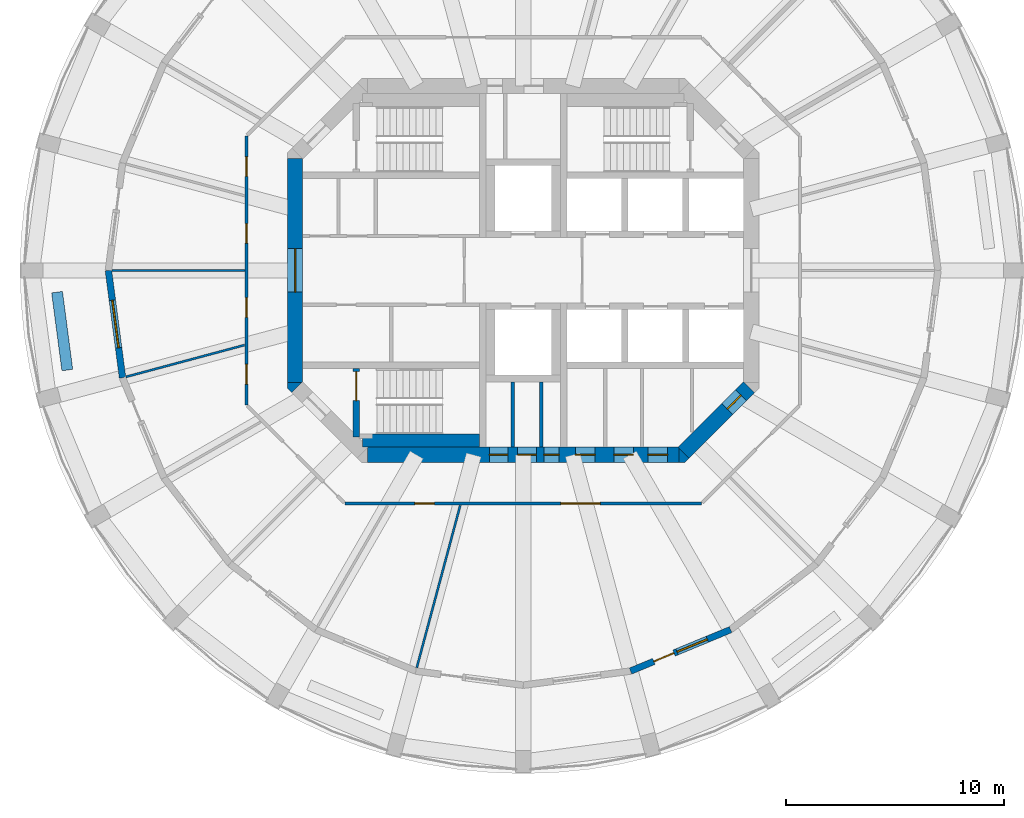
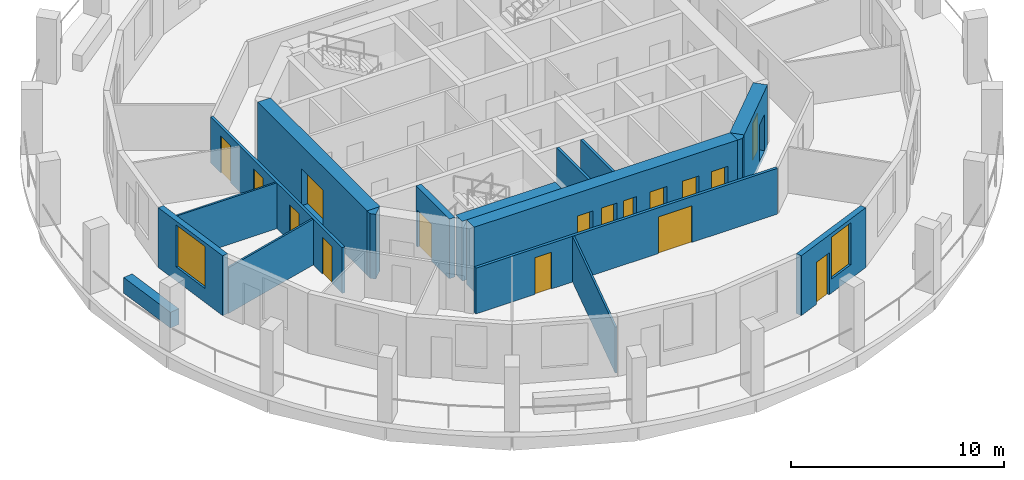
# One storey, part 3 of 9: 17 walls, 16 doors, 2 windows, 18 openings.
"""IFC4 building model written with IfcOpenShell, lengths in metres."""

import ifcopenshell
import ifcopenshell.guid

model = None  # the IFC model being written
_history = None  # IfcOwnerHistory: only IFC2X3 demands one
_inside = {}  # id of a spatial element -> (the spatial element, [elements in it])
_under = {}  # id of a project, library or spatial element -> (it, [spatial elements below it])
_declared = {}  # id of a project -> (the project, [libraries it declares])
_typed = {}  # id of a type object -> (the type object, [elements of that type])
_made_of = {}  # id of a material, layer set ... -> (it, [elements and type objects made of it])


def new_model(schema):
    """Start an empty IFC model of exactly this schema.

    Asked for "IFC4X3", IfcOpenShell would pick the latest addendum, in which some entities
    have other attributes; the version numbers below select the first issue.
    IFC2X3 requires an IfcOwnerHistory on every rooted entity: one is made here for all.
    """
    global model, _history
    if schema == "IFC4X3":
        model = ifcopenshell.file(schema_version=(4, 3, 0, 0))
    else:
        model = ifcopenshell.file(schema=schema)
    _inside.clear()
    _under.clear()
    _declared.clear()
    _typed.clear()
    _made_of.clear()
    _history = None
    if model.schema == "IFC2X3":
        org = make("IfcOrganization", Name="unknown")
        user = make(
            "IfcPersonAndOrganization",
            ThePerson=make("IfcPerson", FamilyName="unknown"),
            TheOrganization=org,
        )
        app = make(
            "IfcApplication",
            ApplicationDeveloper=org,
            Version="unknown",
            ApplicationFullName="unknown",
            ApplicationIdentifier="unknown",
        )
        _history = make(
            "IfcOwnerHistory",
            OwningUser=user,
            OwningApplication=app,
            ChangeAction="ADDED",
            CreationDate=0,
        )
    return model


def make(cls, **values):
    """One entity of the class cls with the attributes given. An attribute that is None is left unset."""
    return model.create_entity(
        cls, **{name: value for name, value in values.items() if value is not None}
    )


def rooted(cls, **values):
    """An entity with a GlobalId (a new one), such as an element, a storey or a relation."""
    return make(cls, GlobalId=ifcopenshell.guid.new(), OwnerHistory=_history, **values)


def si_unit(unit_type, name, prefix=None):
    """IfcSIUnit, for example si_unit("LENGTHUNIT", "METRE", prefix="MILLI")."""
    return make("IfcSIUnit", UnitType=unit_type, Prefix=prefix, Name=name)


def assignment(units):
    """IfcUnitAssignment: the units of a project."""
    return None if units is None else make("IfcUnitAssignment", Units=units)


def point(xyz):
    """IfcCartesianPoint."""
    return None if xyz is None else make("IfcCartesianPoint", Coordinates=xyz)


def direction(xyz):
    """IfcDirection."""
    return None if xyz is None else make("IfcDirection", DirectionRatios=xyz)


def frame(location, z_axis=None, x_axis=None):
    """IfcAxis2Placement3D, a coordinate frame: its origin and axes. An axis left out is left unset."""
    return make(
        "IfcAxis2Placement3D",
        Location=point(location),
        Axis=direction(z_axis),
        RefDirection=direction(x_axis),
    )


def frame_2d(location, x_axis=None):
    """IfcAxis2Placement2D, a coordinate frame in the plane: its origin and x axis."""
    return make(
        "IfcAxis2Placement2D", Location=point(location), RefDirection=direction(x_axis)
    )


def origin():
    """The frame at (0, 0, 0) with its axes left unset."""
    return frame((0.0, 0.0, 0.0))


def place(relative_to, where):
    """IfcLocalPlacement: puts the frame where relative to a parent placement (None: the world)."""
    return make(
        "IfcLocalPlacement", PlacementRelTo=relative_to, RelativePlacement=where
    )


def context(
    kind, dimensions, precision=None, world=None, true_north=None, identifier=None
):
    """IfcGeometricRepresentationContext, for example the 3D "Model" context."""
    return make(
        "IfcGeometricRepresentationContext",
        ContextIdentifier=identifier,
        ContextType=kind,
        CoordinateSpaceDimension=dimensions,
        Precision=precision,
        WorldCoordinateSystem=world,
        TrueNorth=true_north,
    )


def subcontext(parent, identifier, kind, view, scale=None):
    """IfcGeometricRepresentationSubContext, for example "Body" below "Model"."""
    return make(
        "IfcGeometricRepresentationSubContext",
        ContextIdentifier=identifier,
        ContextType=kind,
        ParentContext=parent,
        TargetScale=scale,
        TargetView=view,
    )


def project(units=None, contexts=None):
    """IfcProject with its units and contexts."""
    return rooted(
        "IfcProject",
        Name="project",
        RepresentationContexts=contexts,
        UnitsInContext=assignment(units),
    )


def spatial(cls, under=None, at=None, **own):
    """A site, building, storey or space (cls), placed at a placement, below another one or the project."""
    s = rooted(cls, ObjectPlacement=at, **own)
    if under is not None:
        _under.setdefault(under.id(), (under, []))[1].append(s)
    return s


def polyline(points):
    """IfcPolyline through the points."""
    return make("IfcPolyline", Points=[point(p) for p in points])


def profile(cls, at=None, kind="AREA", **sizes):
    """A parametric profile (cls). Its sizes go by their IFC names, for example OverallWidth=200.0."""
    return make(cls, ProfileType=kind, Position=at, **sizes)


def rectangle(**sizes):
    """IfcRectangleProfileDef."""
    return profile("IfcRectangleProfileDef", **sizes)


def outline(outer, holes=None, kind="AREA"):
    """IfcArbitraryClosedProfileDef: a profile drawn as a closed curve; with holes, ...WithVoids."""
    if holes is None:
        return make("IfcArbitraryClosedProfileDef", ProfileType=kind, OuterCurve=outer)
    return make(
        "IfcArbitraryProfileDefWithVoids",
        ProfileType=kind,
        OuterCurve=outer,
        InnerCurves=holes,
    )


def extrude(swept, where, along, depth):
    """IfcExtrudedAreaSolid: the profile swept, set in the frame where, extruded along a direction by depth."""
    return make(
        "IfcExtrudedAreaSolid",
        SweptArea=swept,
        Position=where,
        ExtrudedDirection=direction(along),
        Depth=depth,
    )


def shape(context_of_items, identifier, shape_type, items):
    """IfcShapeRepresentation: the items that make up one representation, for example the "Body"."""
    return make(
        "IfcShapeRepresentation",
        ContextOfItems=context_of_items,
        RepresentationIdentifier=identifier,
        RepresentationType=shape_type,
        Items=items,
    )


def material(Name=None, Category=None):
    """IfcMaterial."""
    return make("IfcMaterial", Name=Name, Category=Category)


def layer(
    of_material, thickness, ventilated=None, Name=None, Category=None, Priority=None
):
    """IfcMaterialLayer: one layer of a wall or slab, of a material (None: an air gap)."""
    return make(
        "IfcMaterialLayer",
        Material=of_material,
        LayerThickness=thickness,
        IsVentilated=ventilated,
        Name=Name,
        Category=Category,
        Priority=Priority,
    )


def layer_set(layers, Name=None):
    """IfcMaterialLayerSet."""
    return make("IfcMaterialLayerSet", MaterialLayers=layers, LayerSetName=Name)


def made_of(thing, what):
    """Note that an element or type object is made of a material, layer set ...; save() writes the relation."""
    if what is not None:
        _made_of.setdefault(what.id(), (what, []))[1].append(thing)
    return thing


def type_object(cls, material=None, **own):
    """A type object (cls), such as IfcWallType, which elements share."""
    return made_of(rooted(cls, **own), material)


def element(
    cls,
    number,
    at=None,
    inside=None,
    cuts=None,
    type_object=None,
    material=None,
    context=None,
    identifier="Body",
    shape_type=None,
    held_by="IfcProductDefinitionShape",
    body=None,
    shapes=None,
    **own,
):
    """One element of the class cls, such as IfcWall. Its Tag is "e" and its number.

    at: its placement. inside: the storey or other place that contains it. cuts: it is an
    opening in that element (IfcRelVoidsElement). A single representation is given by context,
    identifier, shape_type and body (its items); several are given by shapes. held_by: the class
    of the entity that holds the representations. save() writes the other relations.
    """
    e = rooted(cls, Tag="e%d" % number, ObjectPlacement=at, **own)
    if body is not None:
        shapes = [shape(context, identifier, shape_type, body)]
    if shapes is not None:
        e.Representation = make(held_by, Representations=shapes)
    if inside is not None:
        _inside.setdefault(inside.id(), (inside, []))[1].append(e)
    if cuts is not None:
        rooted(
            "IfcRelVoidsElement", RelatingBuildingElement=cuts, RelatedOpeningElement=e
        )
    if type_object is not None:
        _typed.setdefault(type_object.id(), (type_object, []))[1].append(e)
    return made_of(e, material)


def fill(opening, filler):
    """IfcRelFillsElement: the door or window that sits in an opening."""
    return rooted(
        "IfcRelFillsElement",
        RelatingOpeningElement=opening,
        RelatedBuildingElement=filler,
    )


def aggregate(whole, parts):
    """IfcRelAggregates: a whole, such as a stair, and the parts it consists of."""
    return rooted("IfcRelAggregates", RelatingObject=whole, RelatedObjects=parts)


def save(model, path):
    """Write the relations noted so far, then the file.

    IfcRelAggregates (storeys below a building ...), IfcRelContainedInSpatialStructure (elements
    in a storey), IfcRelDefinesByType, IfcRelAssociatesMaterial and IfcRelDeclares: one each for
    every whole, place, type object, material and project.
    """
    for whole, parts in _under.values():
        aggregate(whole, parts)
    for where, things in _inside.values():
        rooted(
            "IfcRelContainedInSpatialStructure",
            RelatedElements=things,
            RelatingStructure=where,
        )
    for kind, things in _typed.values():
        rooted("IfcRelDefinesByType", RelatedObjects=things, RelatingType=kind)
    for what, things in _made_of.values():
        rooted("IfcRelAssociatesMaterial", RelatedObjects=things, RelatingMaterial=what)
    for by, libraries in _declared.values():
        rooted("IfcRelDeclares", RelatingContext=by, RelatedDefinitions=libraries)
    model.write(path)


model = new_model("IFC4")

# Units and contexts
model_context = context("Model", 3, precision=1e-05, world=origin(), true_north=direction((0.0, 1.0)))
body_context = subcontext(model_context, "Body", "Model", "MODEL_VIEW")
ifc_project = project(units=[si_unit("LENGTHUNIT", "METRE"), si_unit("AREAUNIT", "SQUARE_METRE"), si_unit("VOLUMEUNIT", "CUBIC_METRE"), si_unit("PLANEANGLEUNIT", "RADIAN"), si_unit("MASSUNIT", "GRAM", prefix="KILO")], contexts=[model_context])

# Site, building, storey
site_placement = place(None, origin())
site = spatial("IfcSite", under=ifc_project, at=site_placement, CompositionType="ELEMENT")
building_placement = place(site_placement, origin())
building = spatial("IfcBuilding", under=site, at=building_placement, Name="Torre Triforio", CompositionType="ELEMENT")
storey_placement = place(building_placement, frame((0.0, 0.0, 165.300048828125)))
storey = spatial("IfcBuildingStorey", under=building, at=storey_placement, Name="L37", CompositionType="ELEMENT", Elevation=165.300048828125)

# Wall, openings, doors
ifc_material_1 = material(Name="Concrete C50", Category="concrete")
ifc_layer_1 = layer(ifc_material_1, 0.699951171875)
ifc_layer_set_1 = layer_set([ifc_layer_1], Name="Concrete C50")
wall_type_1 = type_object("IfcWallType", Name="Core wall 700 mm C50 EI 120", PredefinedType="SHEAR", material=ifc_layer_set_1)
wall_1_placement = place(storey_placement, frame((-7.1298828125, -8.449951171875, -0.280029296875), z_axis=(0.0, 0.0, 1.0), x_axis=(1.0, 0.0, 0.0)))
wall_1 = element("IfcWall", 1, at=wall_1_placement, inside=storey, type_object=wall_type_1, Name="Core wall", PredefinedType="SHEAR", context=body_context, shape_type="SweptSolid", body=[
    extrude(rectangle(XDim=14.259765625, YDim=0.699951171875, at=frame_2d((7.1298828125, 0.0))), origin(), (0.0, 0.0, 1.0), 3.699951171875),
])
opening_1_placement = place(wall_1_placement, frame((8.080078125, 0.0, 0.280029296875)))
opening_1 = element("IfcOpeningElement", 2, at=opening_1_placement, cuts=wall_1, Name="Opening RISER-S", PredefinedType="OPENING", context=body_context, shape_type="SweptSolid", body=[
    extrude(rectangle(XDim=0.699951171875, YDim=2.10009765625, at=frame_2d((0.35009765625, 1.050048828125))), frame((0.0, 0.35986328125, 0.0), z_axis=(0.0, -1.0, 0.0), x_axis=(1.0, 0.0, 0.0)), (0.0, 0.0, 1.0), 0.719970703125),
])
opening_2_placement = place(wall_1_placement, frame((5.580078125, 0.0, 0.280029296875)))
opening_2 = element("IfcOpeningElement", 3, at=opening_2_placement, cuts=wall_1, Name="Opening SW-01A", PredefinedType="OPENING", context=body_context, shape_type="SweptSolid", body=[
    extrude(rectangle(XDim=0.85009765625, YDim=2.10009765625, at=frame_2d((0.425048828125, 1.050048828125))), frame((0.0, 0.35986328125, 0.0), z_axis=(0.0, -1.0, 0.0), x_axis=(1.0, 0.0, 0.0)), (0.0, 0.0, 1.0), 0.719970703125),
])
opening_3_placement = place(wall_1_placement, frame((6.8798828125, 0.0, 0.280029296875)))
opening_3 = element("IfcOpeningElement", 4, at=opening_3_placement, cuts=wall_1, Name="Opening SW-02", PredefinedType="OPENING", context=body_context, shape_type="SweptSolid", body=[
    extrude(rectangle(XDim=0.85009765625, YDim=2.10009765625, at=frame_2d((0.425048828125, 1.050048828125))), frame((0.0, 0.35986328125, 0.0), z_axis=(0.0, -1.0, 0.0), x_axis=(1.0, 0.0, 0.0)), (0.0, 0.0, 1.0), 0.719970703125),
])
opening_4_placement = place(wall_1_placement, frame((9.521484375, 0.0, 0.280029296875)))
opening_4 = element("IfcOpeningElement", 5, at=opening_4_placement, cuts=wall_1, Name="Opening SE-01", PredefinedType="OPENING", context=body_context, shape_type="SweptSolid", body=[
    extrude(rectangle(XDim=0.89990234375, YDim=2.10009765625, at=frame_2d((0.449951171875, 1.050048828125))), frame((0.0, 0.35986328125, 0.0), z_axis=(0.0, -1.0, 0.0), x_axis=(1.0, 0.0, 0.0)), (0.0, 0.0, 1.0), 0.719970703125),
])
opening_5_placement = place(wall_1_placement, frame((11.278076171875, 0.0, 0.280029296875)))
opening_5 = element("IfcOpeningElement", 6, at=opening_5_placement, cuts=wall_1, Name="Opening SE-02", PredefinedType="OPENING", context=body_context, shape_type="SweptSolid", body=[
    extrude(rectangle(XDim=0.89990234375, YDim=2.10009765625, at=frame_2d((0.449951171875, 1.050048828125))), frame((0.0, 0.35986328125, 0.0), z_axis=(0.0, -1.0, 0.0), x_axis=(1.0, 0.0, 0.0)), (0.0, 0.0, 1.0), 0.719970703125),
])
opening_6_placement = place(wall_1_placement, frame((12.840087890625, 0.0, 0.280029296875)))
opening_6 = element("IfcOpeningElement", 7, at=opening_6_placement, cuts=wall_1, Name="Opening SE-03", PredefinedType="OPENING", context=body_context, shape_type="SweptSolid", body=[
    extrude(rectangle(XDim=0.89990234375, YDim=2.10009765625, at=frame_2d((0.449951171875, 1.050048828125))), frame((0.0, 0.35986328125, 0.0), z_axis=(0.0, -1.0, 0.0), x_axis=(1.0, 0.0, 0.0)), (0.0, 0.0, 1.0), 0.719970703125),
])
ifc_material_2 = material(Name="Hollow metal fire door leaf")
door_type_1 = type_object("IfcDoorType", Name="Plant room door 900 x 2100 EI 60", OperationType="NOTDEFINED", PredefinedType="DOOR", material=ifc_material_2)
door_1_placement = place(opening_4_placement, origin())
door_1 = element("IfcDoor", 8, at=door_1_placement, inside=storey, type_object=door_type_1, Name="Core door SE-01", OperationType="SINGLE_SWING_LEFT", OverallHeight=2.10009765625, OverallWidth=0.89990234375, PredefinedType="DOOR", context=body_context, shape_type="SweptSolid", body=[
    extrude(rectangle(XDim=0.89990234375, YDim=2.10009765625, at=frame_2d((0.449951171875, 1.050048828125))), frame((0.0, 0.02490234375, 0.0), z_axis=(0.0, -1.0, 0.0), x_axis=(1.0, 0.0, 0.0)), (0.0, 0.0, 1.0), 0.050048828125),
])
fill(opening_4, door_1)
door_type_2 = type_object("IfcDoorType", Name="Riser door 700 x 2100 EI 60", OperationType="NOTDEFINED", PredefinedType="DOOR", material=ifc_material_2)
door_2_placement = place(opening_1_placement, origin())
door_2 = element("IfcDoor", 9, at=door_2_placement, inside=storey, type_object=door_type_2, Name="Core door RISER-S", OperationType="SINGLE_SWING_RIGHT", OverallHeight=2.10009765625, OverallWidth=0.699951171875, PredefinedType="DOOR", context=body_context, shape_type="SweptSolid", body=[
    extrude(rectangle(XDim=0.699951171875, YDim=2.10009765625, at=frame_2d((0.35009765625, 1.050048828125))), frame((0.0, 0.02490234375, 0.0), z_axis=(0.0, -1.0, 0.0), x_axis=(1.0, 0.0, 0.0)), (0.0, 0.0, 1.0), 0.050048828125),
])
fill(opening_1, door_2)
door_type_3 = type_object("IfcDoorType", Name="Room door 850 x 2100 EI 60", OperationType="NOTDEFINED", PredefinedType="DOOR", material=ifc_material_2)
door_3_placement = place(opening_2_placement, origin())
door_3 = element("IfcDoor", 10, at=door_3_placement, inside=storey, type_object=door_type_3, Name="Core door SW-01", OperationType="SINGLE_SWING_RIGHT", OverallHeight=2.10009765625, OverallWidth=0.85009765625, PredefinedType="DOOR", context=body_context, shape_type="SweptSolid", body=[
    extrude(rectangle(XDim=0.85009765625, YDim=2.10009765625, at=frame_2d((0.425048828125, 1.050048828125))), frame((0.0, 0.02490234375, 0.0), z_axis=(0.0, -1.0, 0.0), x_axis=(1.0, 0.0, 0.0)), (0.0, 0.0, 1.0), 0.050048828125),
])
fill(opening_2, door_3)
door_4_placement = place(opening_3_placement, origin())
door_4 = element("IfcDoor", 11, at=door_4_placement, inside=storey, type_object=door_type_3, Name="Core door SW-02", OperationType="SINGLE_SWING_LEFT", OverallHeight=2.10009765625, OverallWidth=0.85009765625, PredefinedType="DOOR", context=body_context, shape_type="SweptSolid", body=[
    extrude(rectangle(XDim=0.85009765625, YDim=2.10009765625, at=frame_2d((0.425048828125, 1.050048828125))), frame((0.0, 0.02490234375, 0.0), z_axis=(0.0, -1.0, 0.0), x_axis=(1.0, 0.0, 0.0)), (0.0, 0.0, 1.0), 0.050048828125),
])
fill(opening_3, door_4)
door_type_4 = type_object("IfcDoorType", Name="Room door 900 x 2100 EI 60", OperationType="NOTDEFINED", PredefinedType="DOOR", material=ifc_material_2)
door_5_placement = place(opening_5_placement, origin())
door_5 = element("IfcDoor", 12, at=door_5_placement, inside=storey, type_object=door_type_4, Name="Core door SE-02", OperationType="SINGLE_SWING_LEFT", OverallHeight=2.10009765625, OverallWidth=0.89990234375, PredefinedType="DOOR", context=body_context, shape_type="SweptSolid", body=[
    extrude(rectangle(XDim=0.89990234375, YDim=2.10009765625, at=frame_2d((0.449951171875, 1.050048828125))), frame((0.0, 0.02490234375, 0.0), z_axis=(0.0, -1.0, 0.0), x_axis=(1.0, 0.0, 0.0)), (0.0, 0.0, 1.0), 0.050048828125),
])
fill(opening_5, door_5)
door_6_placement = place(opening_6_placement, origin())
door_6 = element("IfcDoor", 13, at=door_6_placement, inside=storey, type_object=door_type_4, Name="Core door SE-03", OperationType="SINGLE_SWING_LEFT", OverallHeight=2.10009765625, OverallWidth=0.89990234375, PredefinedType="DOOR", context=body_context, shape_type="SweptSolid", body=[
    extrude(rectangle(XDim=0.89990234375, YDim=2.10009765625, at=frame_2d((0.449951171875, 1.050048828125))), frame((0.0, 0.02490234375, 0.0), z_axis=(0.0, -1.0, 0.0), x_axis=(1.0, 0.0, 0.0)), (0.0, 0.0, 1.0), 0.050048828125),
])
fill(opening_6, door_6)

# Wall, opening, door
wall_2_placement = place(storey_placement, frame((-10.449951171875, -5.1298828125, -0.280029296875), z_axis=(0.0, 0.0, 1.0), x_axis=(0.0, 1.0, 0.0)))
wall_2 = element("IfcWall", 14, at=wall_2_placement, inside=storey, type_object=wall_type_1, Name="Core wall", PredefinedType="SHEAR", context=body_context, shape_type="SweptSolid", body=[
    extrude(rectangle(XDim=10.259765625, YDim=0.699951171875, at=frame_2d((5.1298828125, 0.0))), origin(), (0.0, 0.0, 1.0), 3.699951171875),
])
opening_7_placement = place(wall_2_placement, frame((4.1298828125, 0.0, 0.280029296875)))
opening_7 = element("IfcOpeningElement", 15, at=opening_7_placement, cuts=wall_2, Name="Opening W-RING", PredefinedType="OPENING", context=body_context, shape_type="SweptSolid", body=[
    extrude(rectangle(XDim=2.0, YDim=2.10009765625, at=frame_2d((1.0, 1.050048828125))), frame((0.0, 0.35986328125, 0.0), z_axis=(0.0, -1.0, 0.0), x_axis=(1.0, 0.0, 0.0)), (0.0, 0.0, 1.0), 0.719970703125),
])
door_type_5 = type_object("IfcDoorType", Name="Lobby door 2000 x 2100 EI 60", OperationType="DOUBLE_DOOR_SINGLE_SWING", PredefinedType="DOOR", material=ifc_material_2)
door_7_placement = place(opening_7_placement, origin())
door_7 = element("IfcDoor", 16, at=door_7_placement, inside=storey, type_object=door_type_5, Name="Core door W-RING", OperationType="DOUBLE_DOOR_SINGLE_SWING", OverallHeight=2.10009765625, OverallWidth=2.0, PredefinedType="DOOR", context=body_context, shape_type="SweptSolid", body=[
    extrude(rectangle(XDim=2.0, YDim=2.10009765625, at=frame_2d((1.0, 1.050048828125))), frame((0.0, 0.02490234375, 0.0), z_axis=(0.0, -1.0, 0.0), x_axis=(1.0, 0.0, 0.0)), (0.0, 0.0, 1.0), 0.050048828125),
])
fill(opening_7, door_7)

wall_3_placement = place(storey_placement, frame((10.347412109375, -5.347412109375, -0.280029296875), z_axis=(0.0, 0.0, 1.0), x_axis=(-0.707106781187, -0.707106781187, 0.0)))
wall_3 = element("IfcWall", 17, at=wall_3_placement, inside=storey, type_object=wall_type_1, Name="Core wall", PredefinedType="SHEAR", context=body_context, shape_type="SweptSolid", body=[
    extrude(rectangle(XDim=4.24267578125, YDim=0.699951171875, at=frame_2d((2.121337890625, 0.0))), origin(), (0.0, 0.0, 1.0), 3.699951171875),
])
opening_8_placement = place(wall_3_placement, frame((0.52001953125, 0.0, 0.280029296875)))
opening_8 = element("IfcOpeningElement", 18, at=opening_8_placement, cuts=wall_3, Name="Opening SE-04", PredefinedType="OPENING", context=body_context, shape_type="SweptSolid", body=[
    extrude(rectangle(XDim=0.89990234375, YDim=2.10009765625, at=frame_2d((0.449951171875, 1.050048828125))), frame((0.0, 0.35986328125, 0.0), z_axis=(0.0, -1.0, 0.0), x_axis=(1.0, 0.0, 0.0)), (0.0, 0.0, 1.0), 0.719970703125),
])
door_8_placement = place(opening_8_placement, origin())
door_8 = element("IfcDoor", 19, at=door_8_placement, inside=storey, type_object=door_type_4, Name="Core door SE-04", OperationType="SINGLE_SWING_RIGHT", OverallHeight=2.10009765625, OverallWidth=0.89990234375, PredefinedType="DOOR", context=body_context, shape_type="SweptSolid", body=[
    extrude(rectangle(XDim=0.89990234375, YDim=2.10009765625, at=frame_2d((0.449951171875, 1.050048828125))), frame((0.0, 0.02490234375, 0.0), z_axis=(0.0, -1.0, 0.0), x_axis=(1.0, 0.0, 0.0)), (0.0, 0.0, 1.0), 0.050048828125),
])
fill(opening_8, door_8)

# Walls
wall_4_placement = place(storey_placement, frame((0.0, 0.0, -0.280029296875)))
element("IfcWall", 20, at=wall_4_placement, inside=storey, type_object=wall_type_1, Name="Core wall", PredefinedType="SHEAR", context=body_context, shape_type="SweptSolid", body=[
    extrude(outline(polyline([(7.389892578125, -8.800048828125), (7.1298828125, -8.800048828125), (7.1298828125, -8.800048828125), (7.1298828125, -8.1298828125), (7.594970703125, -8.594970703125), (7.594970703125, -8.594970703125), (7.594970703125, -8.594970703125), (7.389892578125, -8.800048828125)])), origin(), (0.0, 0.0, 1.0), 3.699951171875),
])
wall_5_placement = place(storey_placement, frame((0.0, 0.0, -0.280029296875)))
element("IfcWall", 21, at=wall_5_placement, inside=storey, type_object=wall_type_1, Name="Core wall", PredefinedType="SHEAR", context=body_context, shape_type="SweptSolid", body=[
    extrude(outline(polyline([(-10.800048828125, -5.389892578125), (-10.800048828125, -5.1298828125), (-10.800048828125, -5.1298828125), (-10.1298828125, -5.1298828125), (-10.594970703125, -5.594970703125), (-10.594970703125, -5.594970703125), (-10.594970703125, -5.594970703125), (-10.800048828125, -5.389892578125)])), origin(), (0.0, 0.0, 1.0), 3.699951171875),
])

# Wall, openings, doors
ifc_material_3 = material(Name="Plasterboard on metal studs")
ifc_layer_2 = layer(ifc_material_3, 0.14990234375)
ifc_layer_set_2 = layer_set([ifc_layer_2], Name="Plasterboard on metal studs")
wall_type_2 = type_object("IfcWallType", Name="Corridor and tenancy wall 150 mm EI 60", PredefinedType="PARTITIONING", material=ifc_layer_set_2)
wall_6_placement = place(storey_placement, frame((8.16650390625, -10.675048828125, 0.0), z_axis=(0.0, 0.0, 1.0), x_axis=(-1.0, 0.0, 0.0)))
wall_6 = element("IfcWall", 22, at=wall_6_placement, inside=storey, type_object=wall_type_2, Name="Partition 2", PredefinedType="PARTITIONING", context=body_context, shape_type="SweptSolid", body=[
    extrude(rectangle(XDim=16.3330078125, YDim=0.14990234375, at=frame_2d((8.16650390625, 0.0))), origin(), (0.0, 0.0, 1.0), 2.619873046875),
])
opening_9_placement = place(wall_6_placement, frame((12.232421875, 0.0, 0.0)))
opening_9 = element("IfcOpeningElement", 23, at=opening_9_placement, cuts=wall_6, Name="Opening O2-08", PredefinedType="OPENING", context=body_context, shape_type="SweptSolid", body=[
    extrude(rectangle(XDim=0.89990234375, YDim=2.10009765625, at=frame_2d((0.449951171875, 1.050048828125))), frame((0.0, 0.0849609375, 0.0), z_axis=(0.0, -1.0, 0.0), x_axis=(1.0, 0.0, 0.0)), (0.0, 0.0, 1.0), 0.169921875),
])
opening_10_placement = place(wall_6_placement, frame((4.639404296875, 0.0, 0.0)))
opening_10 = element("IfcOpeningElement", 24, at=opening_10_placement, cuts=wall_6, Name="Opening O2-09", PredefinedType="OPENING", context=body_context, shape_type="SweptSolid", body=[
    extrude(rectangle(XDim=1.800048828125, YDim=2.10009765625, at=frame_2d((0.89990234375, 1.050048828125))), frame((0.0, 0.0849609375, 0.0), z_axis=(0.0, -1.0, 0.0), x_axis=(1.0, 0.0, 0.0)), (0.0, 0.0, 1.0), 0.169921875),
])
ifc_material_4 = material(Name="Timber", Category="wood")
door_type_6 = type_object("IfcDoorType", Name="Door 1800 x 2100 double leaf EI 30", OperationType="DOUBLE_DOOR_SINGLE_SWING", PredefinedType="DOOR", material=ifc_material_4)
door_9_placement = place(opening_10_placement, origin())
door_9 = element("IfcDoor", 25, at=door_9_placement, inside=storey, type_object=door_type_6, Name="Door O2-09", OperationType="DOUBLE_DOOR_SINGLE_SWING", OverallHeight=2.10009765625, OverallWidth=1.800048828125, PredefinedType="DOOR", context=body_context, shape_type="SweptSolid", body=[
    extrude(rectangle(XDim=1.800048828125, YDim=2.10009765625, at=frame_2d((0.89990234375, 1.050048828125))), frame((0.0, 0.02490234375, 0.0), z_axis=(0.0, -1.0, 0.0), x_axis=(1.0, 0.0, 0.0)), (0.0, 0.0, 1.0), 0.050048828125),
])
fill(opening_10, door_9)
door_type_7 = type_object("IfcDoorType", Name="Door 900 x 2100 single leaf EI 30", OperationType="NOTDEFINED", PredefinedType="DOOR", material=ifc_material_4)
door_10_placement = place(opening_9_placement, origin())
door_10 = element("IfcDoor", 26, at=door_10_placement, inside=storey, type_object=door_type_7, Name="Door O2-08", OperationType="SINGLE_SWING_LEFT", OverallHeight=2.10009765625, OverallWidth=0.89990234375, PredefinedType="DOOR", context=body_context, shape_type="SweptSolid", body=[
    extrude(rectangle(XDim=0.89990234375, YDim=2.10009765625, at=frame_2d((0.449951171875, 1.050048828125))), frame((0.0, 0.02490234375, 0.0), z_axis=(0.0, -1.0, 0.0), x_axis=(1.0, 0.0, 0.0)), (0.0, 0.0, 1.0), 0.050048828125),
])
fill(opening_9, door_10)

wall_7_placement = place(storey_placement, frame((-12.675048828125, -6.16650390625, 0.0), z_axis=(0.0, 0.0, 1.0), x_axis=(0.0, 1.0, 0.0)))
wall_7 = element("IfcWall", 27, at=wall_7_placement, inside=storey, type_object=wall_type_2, Name="Partition 4", PredefinedType="PARTITIONING", context=body_context, shape_type="SweptSolid", body=[
    extrude(rectangle(XDim=12.3330078125, YDim=0.14990234375, at=frame_2d((6.16650390625, 0.0))), origin(), (0.0, 0.0, 1.0), 2.619873046875),
])
opening_11_placement = place(wall_7_placement, frame((10.47314453125, 0.0, 0.0)))
opening_11 = element("IfcOpeningElement", 28, at=opening_11_placement, cuts=wall_7, Name="Opening O2-02", PredefinedType="OPENING", context=body_context, shape_type="SweptSolid", body=[
    extrude(rectangle(XDim=0.89990234375, YDim=2.10009765625, at=frame_2d((0.449951171875, 1.050048828125))), frame((0.0, 0.0849609375, 0.0), z_axis=(0.0, -1.0, 0.0), x_axis=(1.0, 0.0, 0.0)), (0.0, 0.0, 1.0), 0.169921875),
])
opening_12_placement = place(wall_7_placement, frame((7.41552734375, 0.0, 0.0)))
opening_12 = element("IfcOpeningElement", 29, at=opening_12_placement, cuts=wall_7, Name="Opening O2-03", PredefinedType="OPENING", context=body_context, shape_type="SweptSolid", body=[
    extrude(rectangle(XDim=0.89990234375, YDim=2.10009765625, at=frame_2d((0.449951171875, 1.050048828125))), frame((0.0, 0.0849609375, 0.0), z_axis=(0.0, -1.0, 0.0), x_axis=(1.0, 0.0, 0.0)), (0.0, 0.0, 1.0), 0.169921875),
])
opening_13_placement = place(wall_7_placement, frame((4.017578125, 0.0, 0.0)))
opening_13 = element("IfcOpeningElement", 30, at=opening_13_placement, cuts=wall_7, Name="Opening O2-04", PredefinedType="OPENING", context=body_context, shape_type="SweptSolid", body=[
    extrude(rectangle(XDim=0.89990234375, YDim=2.10009765625, at=frame_2d((0.449951171875, 1.050048828125))), frame((0.0, 0.0849609375, 0.0), z_axis=(0.0, -1.0, 0.0), x_axis=(1.0, 0.0, 0.0)), (0.0, 0.0, 1.0), 0.169921875),
])
opening_14_placement = place(wall_7_placement, frame((0.960205078125, 0.0, 0.0)))
opening_14 = element("IfcOpeningElement", 31, at=opening_14_placement, cuts=wall_7, Name="Opening O2-05", PredefinedType="OPENING", context=body_context, shape_type="SweptSolid", body=[
    extrude(rectangle(XDim=0.89990234375, YDim=2.10009765625, at=frame_2d((0.449951171875, 1.050048828125))), frame((0.0, 0.0849609375, 0.0), z_axis=(0.0, -1.0, 0.0), x_axis=(1.0, 0.0, 0.0)), (0.0, 0.0, 1.0), 0.169921875),
])
door_11_placement = place(opening_11_placement, origin())
door_11 = element("IfcDoor", 32, at=door_11_placement, inside=storey, type_object=door_type_7, Name="Door O2-02", OperationType="SINGLE_SWING_LEFT", OverallHeight=2.10009765625, OverallWidth=0.89990234375, PredefinedType="DOOR", context=body_context, shape_type="SweptSolid", body=[
    extrude(rectangle(XDim=0.89990234375, YDim=2.10009765625, at=frame_2d((0.449951171875, 1.050048828125))), frame((0.0, 0.02490234375, 0.0), z_axis=(0.0, -1.0, 0.0), x_axis=(1.0, 0.0, 0.0)), (0.0, 0.0, 1.0), 0.050048828125),
])
fill(opening_11, door_11)
door_12_placement = place(opening_12_placement, origin())
door_12 = element("IfcDoor", 33, at=door_12_placement, inside=storey, type_object=door_type_7, Name="Door O2-03", OperationType="SINGLE_SWING_LEFT", OverallHeight=2.10009765625, OverallWidth=0.89990234375, PredefinedType="DOOR", context=body_context, shape_type="SweptSolid", body=[
    extrude(rectangle(XDim=0.89990234375, YDim=2.10009765625, at=frame_2d((0.449951171875, 1.050048828125))), frame((0.0, 0.02490234375, 0.0), z_axis=(0.0, -1.0, 0.0), x_axis=(1.0, 0.0, 0.0)), (0.0, 0.0, 1.0), 0.050048828125),
])
fill(opening_12, door_12)
door_13_placement = place(opening_13_placement, origin())
door_13 = element("IfcDoor", 34, at=door_13_placement, inside=storey, type_object=door_type_7, Name="Door O2-04", OperationType="SINGLE_SWING_LEFT", OverallHeight=2.10009765625, OverallWidth=0.89990234375, PredefinedType="DOOR", context=body_context, shape_type="SweptSolid", body=[
    extrude(rectangle(XDim=0.89990234375, YDim=2.10009765625, at=frame_2d((0.449951171875, 1.050048828125))), frame((0.0, 0.02490234375, 0.0), z_axis=(0.0, -1.0, 0.0), x_axis=(1.0, 0.0, 0.0)), (0.0, 0.0, 1.0), 0.050048828125),
])
fill(opening_13, door_13)
door_14_placement = place(opening_14_placement, origin())
door_14 = element("IfcDoor", 35, at=door_14_placement, inside=storey, type_object=door_type_7, Name="Door O2-05", OperationType="SINGLE_SWING_LEFT", OverallHeight=2.10009765625, OverallWidth=0.89990234375, PredefinedType="DOOR", context=body_context, shape_type="SweptSolid", body=[
    extrude(rectangle(XDim=0.89990234375, YDim=2.10009765625, at=frame_2d((0.449951171875, 1.050048828125))), frame((0.0, 0.02490234375, 0.0), z_axis=(0.0, -1.0, 0.0), x_axis=(1.0, 0.0, 0.0)), (0.0, 0.0, 1.0), 0.050048828125),
])
fill(opening_14, door_14)

# Walls
ifc_layer_3 = layer(ifc_material_3, 0.10009765625)
ifc_layer_set_3 = layer_set([ifc_layer_3], Name="Plasterboard on metal studs")
wall_type_3 = type_object("IfcWallType", Name="Partition 100 mm board on metal studs", PredefinedType="PARTITIONING", material=ifc_layer_set_3)
wall_8_placement = place(storey_placement, frame((-12.75, 0.0, 0.0), z_axis=(0.0, 0.0, 1.0), x_axis=(-1.0, 0.0, 0.0)))
element("IfcWall", 36, at=wall_8_placement, inside=storey, type_object=wall_type_3, Name="Partition 19", PredefinedType="PARTITIONING", context=body_context, shape_type="SweptSolid", body=[
    extrude(rectangle(XDim=6.086669921875, YDim=0.10009765625, at=frame_2d((3.04345703125, 0.0))), origin(), (0.0, 0.0, 1.0), 2.619873046875),
])
wall_9_placement = place(storey_placement, frame((-12.764404296875, -3.420166015625, 0.0), z_axis=(0.0, 0.0, 1.0), x_axis=(-0.965925759926, -0.258819292773, 0.0)))
element("IfcWall", 37, at=wall_9_placement, inside=storey, type_object=wall_type_3, Name="Partition 20", PredefinedType="PARTITIONING", context=body_context, shape_type="SweptSolid", body=[
    extrude(rectangle(XDim=5.6220703125, YDim=0.10009765625, at=frame_2d((2.81103515625, 0.0))), origin(), (0.0, 0.0, 1.0), 2.619873046875),
])
wall_10_placement = place(storey_placement, frame((-2.88427734375, -10.764404296875, 0.0), z_axis=(0.0, 0.0, 1.0), x_axis=(-0.25881804804, -0.965926093451, 0.0)))
element("IfcWall", 38, at=wall_10_placement, inside=storey, type_object=wall_type_3, Name="Partition 24", PredefinedType="PARTITIONING", context=body_context, shape_type="SweptSolid", body=[
    extrude(rectangle(XDim=7.692626953125, YDim=0.10009765625, at=frame_2d((3.84619140625, 0.0))), origin(), (0.0, 0.0, 1.0), 2.619873046875),
])
ifc_material_5 = material(Name="Block and board partition")
ifc_layer_4 = layer(ifc_material_5, 0.14990234375)
ifc_layer_set_4 = layer_set([ifc_layer_4], Name="Block and board partition")
wall_type_4 = type_object("IfcWallType", Name="Partition 150 mm", PredefinedType="PARTITIONING", material=ifc_layer_set_4)
wall_11_placement = place(storey_placement, frame((-0.47509765625, -8.10009765625, 0.0), z_axis=(0.0, 0.0, 1.0), x_axis=(0.0, 1.0, 0.0)))
element("IfcWall", 39, at=wall_11_placement, inside=storey, type_object=wall_type_4, Name="Partition", PredefinedType="PARTITIONING", context=body_context, shape_type="SweptSolid", body=[
    extrude(rectangle(XDim=3.0, YDim=0.14990234375, at=frame_2d((1.5, 0.0))), origin(), (0.0, 0.0, 1.0), 3.419921875),
])
ifc_layer_5 = layer(ifc_material_5, 0.14990234375)
ifc_layer_set_5 = layer_set([ifc_layer_5], Name="Block and board partition")
wall_type_5 = type_object("IfcWallType", Name="Partition 150 mm EI 120", PredefinedType="PARTITIONING", material=ifc_layer_set_5)
wall_12_placement = place(storey_placement, frame((0.824951171875, -8.10009765625, 0.0), z_axis=(0.0, 0.0, 1.0), x_axis=(0.0, 1.0, 0.0)))
element("IfcWall", 40, at=wall_12_placement, inside=storey, type_object=wall_type_5, Name="Partition", PredefinedType="PARTITIONING", context=body_context, shape_type="SweptSolid", body=[
    extrude(rectangle(XDim=3.0, YDim=0.14990234375, at=frame_2d((1.5, 0.0))), origin(), (0.0, 0.0, 1.0), 3.419921875),
])
ifc_material_6 = material(Name="Limestone cladding", Category="masonry")
ifc_layer_6 = layer(ifc_material_6, 0.10009765625)
ifc_material_7 = material(Name="Concrete C40", Category="concrete")
ifc_layer_7 = layer(ifc_material_7, 0.39990234375)
ifc_layer_set_6 = layer_set([ifc_layer_6, ifc_layer_7], Name="Limestone cladding / Concrete C40")
wall_type_6 = type_object("IfcWallType", Name="Planter wall 500", PredefinedType="PARAPET", material=ifc_layer_set_6)
wall_13_placement = place(storey_placement, frame((-21.352783203125, -0.99560546875, 0.0), z_axis=(0.0, 0.0, 1.0), x_axis=(0.130551000099, -0.991441595039, 0.0)))
element("IfcWall", 41, at=wall_13_placement, inside=storey, type_object=wall_type_6, Name="Planter L37 bay 13", PredefinedType="PARAPET", context=body_context, shape_type="SweptSolid", body=[
    extrude(rectangle(XDim=3.599853515625, YDim=0.5, at=frame_2d((1.7998046875, 0.0))), origin(), (0.0, 0.0, 1.0), 0.89990234375),
])

# Wall, opening, door
ifc_layer_8 = layer(ifc_material_1, 0.300048828125)
ifc_layer_set_7 = layer_set([ifc_layer_8], Name="Concrete C50")
wall_type_7 = type_object("IfcWallType", Name="Stair wall 300 mm C50 EI 120", PredefinedType="SHEAR", material=ifc_layer_set_7)
wall_14_placement = place(storey_placement, frame((-7.64990234375, -7.639892578125, 0.0), z_axis=(0.0, 0.0, 1.0), x_axis=(0.0, 1.0, 0.0)))
wall_14 = element("IfcWall", 42, at=wall_14_placement, inside=storey, type_object=wall_type_7, Name="Stair wall", PredefinedType="SHEAR", context=body_context, shape_type="SweptSolid", body=[
    extrude(rectangle(XDim=3.139892578125, YDim=0.300048828125, at=frame_2d((1.56982421875, 0.0))), origin(), (0.0, 0.0, 1.0), 3.419921875),
])
opening_15_placement = place(wall_14_placement, frame((1.679931640625, 0.0, 0.0)))
opening_15 = element("IfcOpeningElement", 43, at=opening_15_placement, cuts=wall_14, Name="Opening ST3-STA", PredefinedType="OPENING", context=body_context, shape_type="SweptSolid", body=[
    extrude(rectangle(XDim=1.320068359375, YDim=2.10009765625, at=frame_2d((0.66015625, 1.050048828125))), frame((0.0, 0.159912109375, 0.0), z_axis=(0.0, -1.0, 0.0), x_axis=(1.0, 0.0, 0.0)), (0.0, 0.0, 1.0), 0.320068359375),
])
door_type_8 = type_object("IfcDoorType", Name="Stair door 1320 x 2100 EI 90", OperationType="DOUBLE_DOOR_SINGLE_SWING", PredefinedType="DOOR", material=ifc_material_2)
door_15_placement = place(opening_15_placement, origin())
door_15 = element("IfcDoor", 44, at=door_15_placement, inside=storey, type_object=door_type_8, Name="Core door ST3-ST", OperationType="DOUBLE_DOOR_SINGLE_SWING", OverallHeight=2.10009765625, OverallWidth=1.320068359375, PredefinedType="DOOR", context=body_context, shape_type="SweptSolid", body=[
    extrude(rectangle(XDim=1.320068359375, YDim=2.10009765625, at=frame_2d((0.66015625, 1.050048828125))), frame((0.0, 0.02490234375, 0.0), z_axis=(0.0, -1.0, 0.0), x_axis=(1.0, 0.0, 0.0)), (0.0, 0.0, 1.0), 0.050048828125),
])
fill(opening_15, door_15)

# Wall
ifc_layer_9 = layer(ifc_material_1, 0.60009765625)
ifc_layer_set_8 = layer_set([ifc_layer_9], Name="Concrete C50")
wall_type_8 = type_object("IfcWallType", Name="Stair wall 600 mm C50 EI 120", PredefinedType="SHEAR", material=ifc_layer_set_8)
wall_15_placement = place(storey_placement, frame((-7.3701171875, -7.800048828125, 0.0), z_axis=(0.0, 0.0, 1.0), x_axis=(1.0, 0.0, 0.0)))
element("IfcWall", 45, at=wall_15_placement, inside=storey, type_object=wall_type_8, Name="Stair wall", PredefinedType="SHEAR", context=body_context, shape_type="SweptSolid", body=[
    extrude(rectangle(XDim=5.3701171875, YDim=0.60009765625, at=frame_2d((2.68505859375, 0.0))), origin(), (0.0, 0.0, 1.0), 3.419921875),
])

# Wall, opening, window
ifc_layer_10 = layer(ifc_material_6, 0.10009765625)
ifc_layer_11 = layer(ifc_material_7, 0.199951171875)
ifc_layer_set_9 = layer_set([ifc_layer_10, ifc_layer_11], Name="Limestone cladding / Concrete C40")
wall_type_9 = type_object("IfcWallType", Name="Stone-faced composite wall 300", PredefinedType="STANDARD", material=ifc_layer_set_9)
wall_16_placement = place(storey_placement, frame((-19.0, 0.0, 0.0), z_axis=(0.0, 0.0, 1.0), x_axis=(0.130538549191, -0.991443234469, 0.0)))
wall_16 = element("IfcWall", 46, at=wall_16_placement, inside=storey, type_object=wall_type_9, Name="External wall L37 bay 13", PredefinedType="STANDARD", context=body_context, shape_type="SweptSolid", body=[
    extrude(rectangle(XDim=4.9599609375, YDim=0.300048828125, at=frame_2d((2.47998046875, 0.0))), origin(), (0.0, 0.0, 1.0), 3.419921875),
])
opening_16_placement = place(wall_16_placement, frame((1.3798828125, 0.0, 0.800048828125)))
opening_16 = element("IfcOpeningElement", 47, at=opening_16_placement, cuts=wall_16, Name="Opening O2-W13", PredefinedType="OPENING", context=body_context, shape_type="SweptSolid", body=[
    extrude(rectangle(XDim=2.199951171875, YDim=2.39990234375, at=frame_2d((1.10009765625, 1.199951171875))), frame((0.0, 0.159912109375, 0.0), z_axis=(0.0, -1.0, 0.0), x_axis=(1.0, 0.0, 0.0)), (0.0, 0.0, 1.0), 0.320068359375),
])
ifc_material_8 = material(Name="Aluminium frame with clear double glazing", Category="aluminium")
window_type_1 = type_object("IfcWindowType", Name="Punched window 2200 x 2400", PartitioningType="DOUBLE_PANEL_VERTICAL", PredefinedType="WINDOW", material=ifc_material_8)
window_1_placement = place(opening_16_placement, origin())
window_1 = element("IfcWindow", 48, at=window_1_placement, inside=storey, type_object=window_type_1, Name="Window EWN5 L37 bay 13", OverallHeight=2.39990234375, OverallWidth=2.199951171875, PartitioningType="SINGLE_PANEL", PredefinedType="WINDOW", context=body_context, shape_type="SweptSolid", body=[
    extrude(rectangle(XDim=2.199951171875, YDim=2.39990234375, at=frame_2d((1.10009765625, 1.199951171875))), frame((0.0, 0.030029296875, 0.0), z_axis=(0.0, -1.0, 0.0), x_axis=(1.0, 0.0, 0.0)), (0.0, 0.0, 1.0), 0.06005859375),
])
fill(opening_16, window_1)

# Wall, openings, door, window
wall_17_placement = place(storey_placement, frame((4.91748046875, -18.3525390625, 0.0), z_axis=(0.0, 0.0, 1.0), x_axis=(0.923893254961, 0.382650301762, 0.0)))
wall_17 = element("IfcWall", 49, at=wall_17_placement, inside=storey, type_object=wall_type_9, Name="External wall L37 bay 20", PredefinedType="STANDARD", context=body_context, shape_type="SweptSolid", body=[
    extrude(rectangle(XDim=4.9599609375, YDim=0.300048828125, at=frame_2d((2.47998046875, 0.0))), origin(), (0.0, 0.0, 1.0), 3.419921875),
])
opening_17_placement = place(wall_17_placement, frame((1.155029296875, 0.0, 0.0)))
opening_17 = element("IfcOpeningElement", 50, at=opening_17_placement, cuts=wall_17, Name="Opening O2-D20", PredefinedType="OPENING", context=body_context, shape_type="SweptSolid", body=[
    extrude(rectangle(XDim=1.0, YDim=2.39990234375, at=frame_2d((0.5, 1.199951171875))), frame((0.0, 0.159912109375, 0.0), z_axis=(0.0, -1.0, 0.0), x_axis=(1.0, 0.0, 0.0)), (0.0, 0.0, 1.0), 0.320068359375),
])
opening_18_placement = place(wall_17_placement, frame((2.304931640625, 0.0, 0.800048828125)))
opening_18 = element("IfcOpeningElement", 51, at=opening_18_placement, cuts=wall_17, Name="Opening O2-W20A", PredefinedType="OPENING", context=body_context, shape_type="SweptSolid", body=[
    extrude(rectangle(XDim=1.5, YDim=2.39990234375, at=frame_2d((0.75, 1.199951171875))), frame((0.0, 0.159912109375, 0.0), z_axis=(0.0, -1.0, 0.0), x_axis=(1.0, 0.0, 0.0)), (0.0, 0.0, 1.0), 0.320068359375),
])
door_type_9 = type_object("IfcDoorType", Name="Loggia door 1000 x 2400", OperationType="NOTDEFINED", PredefinedType="DOOR", material=ifc_material_8)
door_16_placement = place(opening_17_placement, origin())
door_16 = element("IfcDoor", 52, at=door_16_placement, inside=storey, type_object=door_type_9, Name="Loggia door L37 bay 20", OperationType="SINGLE_SWING_LEFT", OverallHeight=2.39990234375, OverallWidth=1.0, PredefinedType="DOOR", context=body_context, shape_type="SweptSolid", body=[
    extrude(rectangle(XDim=1.0, YDim=2.39990234375, at=frame_2d((0.5, 1.199951171875))), frame((0.0, 0.02490234375, 0.0), z_axis=(0.0, -1.0, 0.0), x_axis=(1.0, 0.0, 0.0)), (0.0, 0.0, 1.0), 0.050048828125),
])
fill(opening_17, door_16)
window_type_2 = type_object("IfcWindowType", Name="Side window 1500 x 2400", PartitioningType="SINGLE_PANEL", PredefinedType="WINDOW", material=ifc_material_8)
window_2_placement = place(opening_18_placement, origin())
window_2 = element("IfcWindow", 53, at=window_2_placement, inside=storey, type_object=window_type_2, Name="Side window EWN14 L37 bay 20", OverallHeight=2.39990234375, OverallWidth=1.5, PartitioningType="SINGLE_PANEL", PredefinedType="WINDOW", context=body_context, shape_type="SweptSolid", body=[
    extrude(rectangle(XDim=1.5, YDim=2.39990234375, at=frame_2d((0.75, 1.199951171875))), frame((0.0, 0.030029296875, 0.0), z_axis=(0.0, -1.0, 0.0), x_axis=(1.0, 0.0, 0.0)), (0.0, 0.0, 1.0), 0.06005859375),
])
fill(opening_18, window_2)

save(model, "model.ifc")
